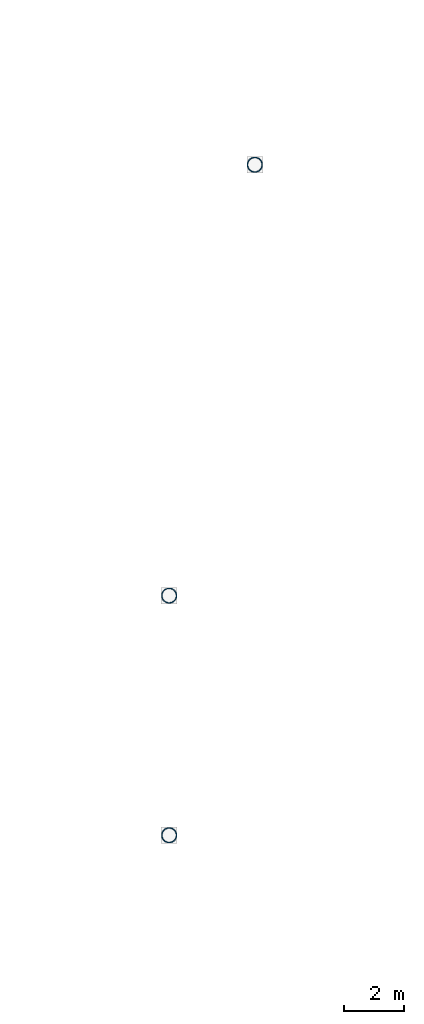
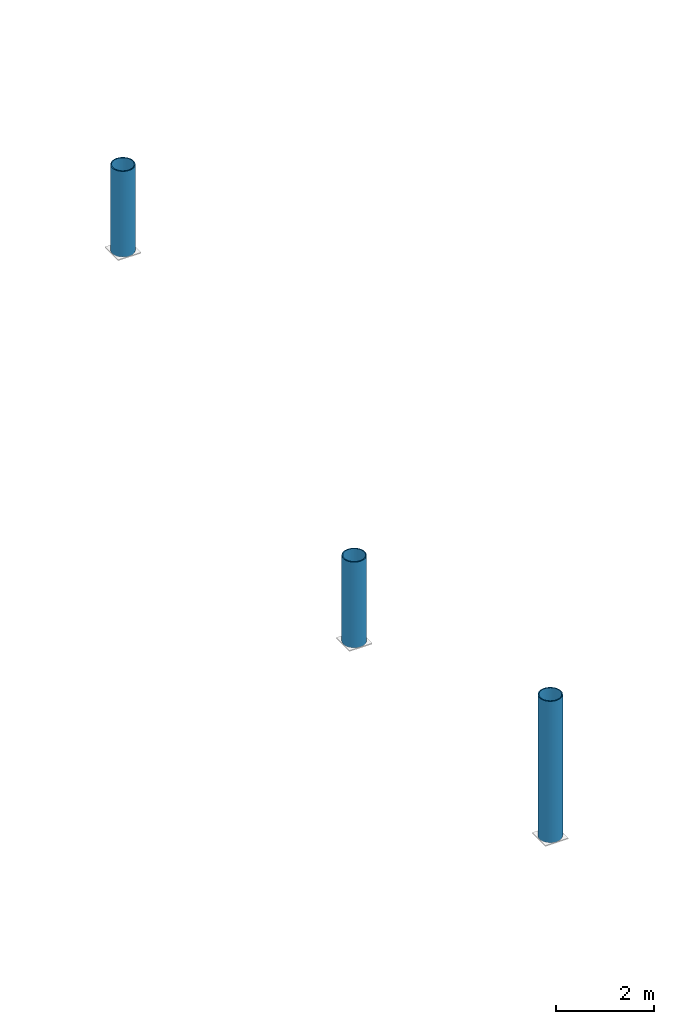
# One storey, part 7 of 29: 3 columns.
"""IFC4 building model written with IfcOpenShell, lengths in metres."""

from ifc_helpers import new_model, si_unit, direction, frame, origin, origin_2d, place, context, subcontext, project, spatial, hollow_circle, extrude, material, material_profile, profile_set, type_object, element, save


model = new_model("IFC4")

# Units and contexts
model_context = context("Model", 3, precision=1e-05, world=origin(), true_north=direction((0.0, 1.0)))
body_context = subcontext(model_context, "Body", "Model", "MODEL_VIEW")
ifc_project = project(units=[si_unit("LENGTHUNIT", "METRE"), si_unit("AREAUNIT", "SQUARE_METRE"), si_unit("VOLUMEUNIT", "CUBIC_METRE"), si_unit("PLANEANGLEUNIT", "RADIAN"), si_unit("MASSUNIT", "GRAM", prefix="KILO")], contexts=[model_context])

# Site, building, storey
site_placement = place(None, origin())
site = spatial("IfcSite", under=ifc_project, at=site_placement, CompositionType="ELEMENT")
building_placement = place(site_placement, origin())
building = spatial("IfcBuilding", under=site, at=building_placement, Name="Candeia Ridge Stadium", CompositionType="ELEMENT")
storey_placement = place(building_placement, frame((0.0, 0.0, 27.0)))
storey = spatial("IfcBuildingStorey", under=building, at=storey_placement, Name="L05", CompositionType="ELEMENT", Elevation=27.0)

# Columns
ifc_material = material(Name="Steel ASTM A572 Grade 50", Category="steel")
ifc_material_profile = material_profile(ifc_material, hollow_circle(Radius=0.25390625, WallThickness=0.02197265625, at=origin_2d()), Name="CHS508x22", Category="steel")
ifc_profile_set = profile_set([ifc_material_profile], Name="Steel ASTM A572 Grade 50")
column_type = type_object("IfcColumnType", Name="Roof Inner Mast CHS508x22", PredefinedType="PILASTER", material=ifc_profile_set)
for number, where, z_axis, x_axis, name in (
    (1, (36.26220703125, 109.388916015625, 0.0), (0.0, 0.0, 1.0), (1.0, 0.0, 0.0), "Roof truss steel mast column BC-MD-10 L05"),
    (2, (33.39990234375, 95.0, 0.0), (0.0, 0.0, 1.0), (1.0, 0.0, 0.0), "Roof truss steel mast column BC-MD-11 L05"),
):
    element("IfcColumn", number, at=place(storey_placement, frame(where, z_axis=z_axis, x_axis=x_axis)), inside=storey, type_object=column_type, Name=name, PredefinedType="PILASTER", context=body_context, shape_type="SweptSolid", body=[
        extrude(hollow_circle(Radius=0.25390625, WallThickness=0.02197265625, at=origin_2d()), origin(), (0.0, 0.0, 1.0), 2.135986328125),
    ])
column_placement = place(storey_placement, frame((33.39990234375, 87.0, 0.0), z_axis=(0.0, 0.0, 1.0), x_axis=(1.0, 0.0, 0.0)))
element("IfcColumn", 3, at=column_placement, inside=storey, type_object=column_type, Name="Roof truss steel mast column BC-MD-12 L05", PredefinedType="PILASTER", context=body_context, shape_type="SweptSolid", body=[
    extrude(hollow_circle(Radius=0.25390625, WallThickness=0.02197265625, at=origin_2d()), origin(), (0.0, 0.0, 1.0), 3.521484375),
])

save(model, "model.ifc")
